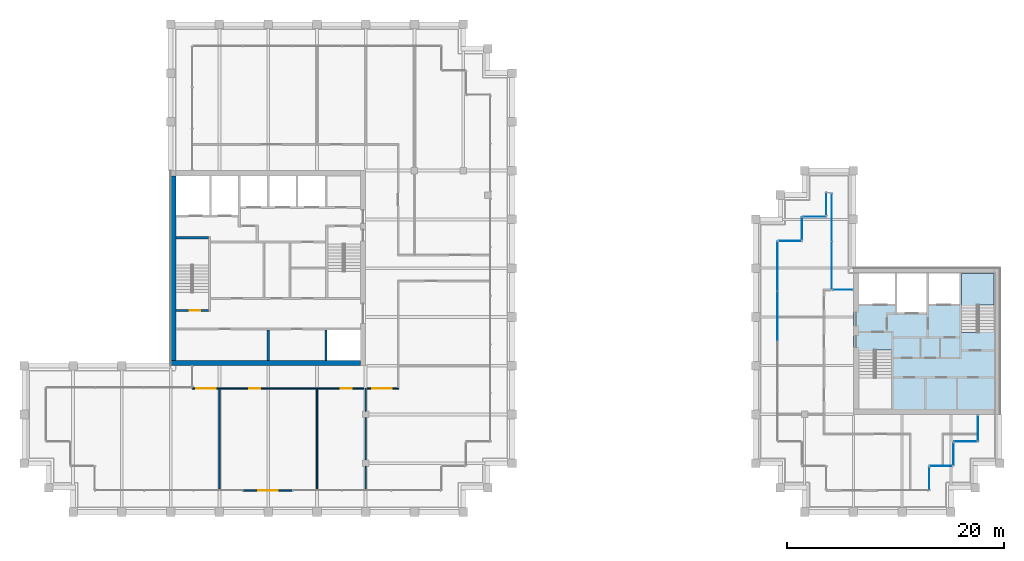
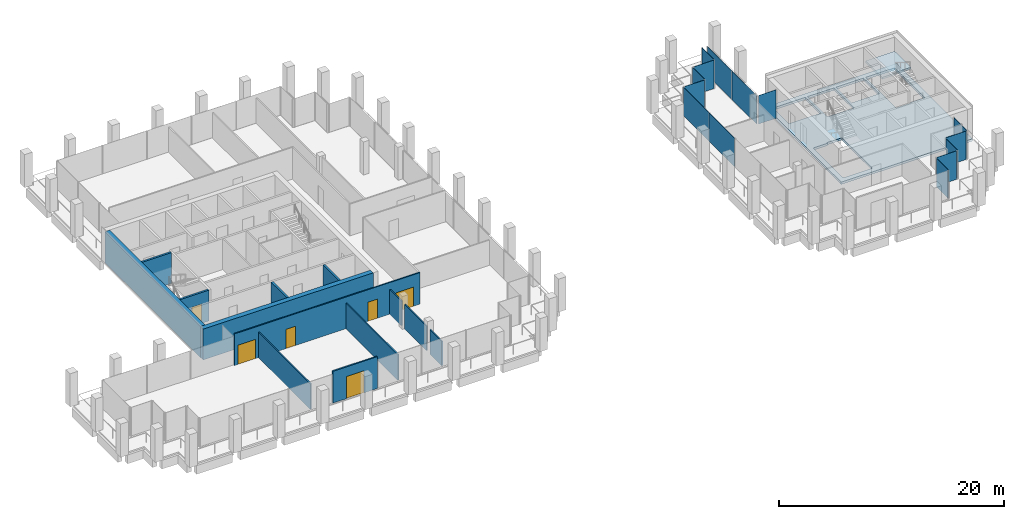
# One storey, part 35 of 40: 14 plates, 13 walls, 6 doors, 2 slabs, 6 openings, 13 elements without a shape of their own.
"""IFC4 building model written with IfcOpenShell, lengths in metres."""

import ifcopenshell
import ifcopenshell.guid

model = None  # the IFC model being written
_history = None  # IfcOwnerHistory: only IFC2X3 demands one
_inside = {}  # id of a spatial element -> (the spatial element, [elements in it])
_under = {}  # id of a project, library or spatial element -> (it, [spatial elements below it])
_declared = {}  # id of a project -> (the project, [libraries it declares])
_typed = {}  # id of a type object -> (the type object, [elements of that type])
_made_of = {}  # id of a material, layer set ... -> (it, [elements and type objects made of it])


def new_model(schema):
    """Start an empty IFC model of exactly this schema.

    Asked for "IFC4X3", IfcOpenShell would pick the latest addendum, in which some entities
    have other attributes; the version numbers below select the first issue.
    IFC2X3 requires an IfcOwnerHistory on every rooted entity: one is made here for all.
    """
    global model, _history
    if schema == "IFC4X3":
        model = ifcopenshell.file(schema_version=(4, 3, 0, 0))
    else:
        model = ifcopenshell.file(schema=schema)
    _inside.clear()
    _under.clear()
    _declared.clear()
    _typed.clear()
    _made_of.clear()
    _history = None
    if model.schema == "IFC2X3":
        org = make("IfcOrganization", Name="unknown")
        user = make(
            "IfcPersonAndOrganization",
            ThePerson=make("IfcPerson", FamilyName="unknown"),
            TheOrganization=org,
        )
        app = make(
            "IfcApplication",
            ApplicationDeveloper=org,
            Version="unknown",
            ApplicationFullName="unknown",
            ApplicationIdentifier="unknown",
        )
        _history = make(
            "IfcOwnerHistory",
            OwningUser=user,
            OwningApplication=app,
            ChangeAction="ADDED",
            CreationDate=0,
        )
    return model


def make(cls, **values):
    """One entity of the class cls with the attributes given. An attribute that is None is left unset."""
    return model.create_entity(
        cls, **{name: value for name, value in values.items() if value is not None}
    )


def rooted(cls, **values):
    """An entity with a GlobalId (a new one), such as an element, a storey or a relation."""
    return make(cls, GlobalId=ifcopenshell.guid.new(), OwnerHistory=_history, **values)


def si_unit(unit_type, name, prefix=None):
    """IfcSIUnit, for example si_unit("LENGTHUNIT", "METRE", prefix="MILLI")."""
    return make("IfcSIUnit", UnitType=unit_type, Prefix=prefix, Name=name)


def assignment(units):
    """IfcUnitAssignment: the units of a project."""
    return None if units is None else make("IfcUnitAssignment", Units=units)


def point(xyz):
    """IfcCartesianPoint."""
    return None if xyz is None else make("IfcCartesianPoint", Coordinates=xyz)


def direction(xyz):
    """IfcDirection."""
    return None if xyz is None else make("IfcDirection", DirectionRatios=xyz)


def frame(location, z_axis=None, x_axis=None):
    """IfcAxis2Placement3D, a coordinate frame: its origin and axes. An axis left out is left unset."""
    return make(
        "IfcAxis2Placement3D",
        Location=point(location),
        Axis=direction(z_axis),
        RefDirection=direction(x_axis),
    )


def frame_2d(location, x_axis=None):
    """IfcAxis2Placement2D, a coordinate frame in the plane: its origin and x axis."""
    return make(
        "IfcAxis2Placement2D", Location=point(location), RefDirection=direction(x_axis)
    )


def origin():
    """The frame at (0, 0, 0) with its axes left unset."""
    return frame((0.0, 0.0, 0.0))


def origin_2d():
    """The frame at (0, 0) in the plane with its x axis left unset."""
    return frame_2d((0.0, 0.0))


def place(relative_to, where):
    """IfcLocalPlacement: puts the frame where relative to a parent placement (None: the world)."""
    return make(
        "IfcLocalPlacement", PlacementRelTo=relative_to, RelativePlacement=where
    )


def context(
    kind, dimensions, precision=None, world=None, true_north=None, identifier=None
):
    """IfcGeometricRepresentationContext, for example the 3D "Model" context."""
    return make(
        "IfcGeometricRepresentationContext",
        ContextIdentifier=identifier,
        ContextType=kind,
        CoordinateSpaceDimension=dimensions,
        Precision=precision,
        WorldCoordinateSystem=world,
        TrueNorth=true_north,
    )


def subcontext(parent, identifier, kind, view, scale=None):
    """IfcGeometricRepresentationSubContext, for example "Body" below "Model"."""
    return make(
        "IfcGeometricRepresentationSubContext",
        ContextIdentifier=identifier,
        ContextType=kind,
        ParentContext=parent,
        TargetScale=scale,
        TargetView=view,
    )


def project(units=None, contexts=None):
    """IfcProject with its units and contexts."""
    return rooted(
        "IfcProject",
        Name="project",
        RepresentationContexts=contexts,
        UnitsInContext=assignment(units),
    )


def spatial(cls, under=None, at=None, **own):
    """A site, building, storey or space (cls), placed at a placement, below another one or the project."""
    s = rooted(cls, ObjectPlacement=at, **own)
    if under is not None:
        _under.setdefault(under.id(), (under, []))[1].append(s)
    return s


def polyline(points):
    """IfcPolyline through the points."""
    return make("IfcPolyline", Points=[point(p) for p in points])


def profile(cls, at=None, kind="AREA", **sizes):
    """A parametric profile (cls). Its sizes go by their IFC names, for example OverallWidth=200.0."""
    return make(cls, ProfileType=kind, Position=at, **sizes)


def rectangle(**sizes):
    """IfcRectangleProfileDef."""
    return profile("IfcRectangleProfileDef", **sizes)


def outline(outer, holes=None, kind="AREA"):
    """IfcArbitraryClosedProfileDef: a profile drawn as a closed curve; with holes, ...WithVoids."""
    if holes is None:
        return make("IfcArbitraryClosedProfileDef", ProfileType=kind, OuterCurve=outer)
    return make(
        "IfcArbitraryProfileDefWithVoids",
        ProfileType=kind,
        OuterCurve=outer,
        InnerCurves=holes,
    )


def extrude(swept, where, along, depth):
    """IfcExtrudedAreaSolid: the profile swept, set in the frame where, extruded along a direction by depth."""
    return make(
        "IfcExtrudedAreaSolid",
        SweptArea=swept,
        Position=where,
        ExtrudedDirection=direction(along),
        Depth=depth,
    )


def shape(context_of_items, identifier, shape_type, items):
    """IfcShapeRepresentation: the items that make up one representation, for example the "Body"."""
    return make(
        "IfcShapeRepresentation",
        ContextOfItems=context_of_items,
        RepresentationIdentifier=identifier,
        RepresentationType=shape_type,
        Items=items,
    )


def material(Name=None, Category=None):
    """IfcMaterial."""
    return make("IfcMaterial", Name=Name, Category=Category)


def layer(
    of_material, thickness, ventilated=None, Name=None, Category=None, Priority=None
):
    """IfcMaterialLayer: one layer of a wall or slab, of a material (None: an air gap)."""
    return make(
        "IfcMaterialLayer",
        Material=of_material,
        LayerThickness=thickness,
        IsVentilated=ventilated,
        Name=Name,
        Category=Category,
        Priority=Priority,
    )


def layer_set(layers, Name=None):
    """IfcMaterialLayerSet."""
    return make("IfcMaterialLayerSet", MaterialLayers=layers, LayerSetName=Name)


def made_of(thing, what):
    """Note that an element or type object is made of a material, layer set ...; save() writes the relation."""
    if what is not None:
        _made_of.setdefault(what.id(), (what, []))[1].append(thing)
    return thing


def type_object(cls, material=None, **own):
    """A type object (cls), such as IfcWallType, which elements share."""
    return made_of(rooted(cls, **own), material)


def element(
    cls,
    number,
    at=None,
    inside=None,
    cuts=None,
    type_object=None,
    material=None,
    context=None,
    identifier="Body",
    shape_type=None,
    held_by="IfcProductDefinitionShape",
    body=None,
    shapes=None,
    **own,
):
    """One element of the class cls, such as IfcWall. Its Tag is "e" and its number.

    at: its placement. inside: the storey or other place that contains it. cuts: it is an
    opening in that element (IfcRelVoidsElement). A single representation is given by context,
    identifier, shape_type and body (its items); several are given by shapes. held_by: the class
    of the entity that holds the representations. save() writes the other relations.
    """
    e = rooted(cls, Tag="e%d" % number, ObjectPlacement=at, **own)
    if body is not None:
        shapes = [shape(context, identifier, shape_type, body)]
    if shapes is not None:
        e.Representation = make(held_by, Representations=shapes)
    if inside is not None:
        _inside.setdefault(inside.id(), (inside, []))[1].append(e)
    if cuts is not None:
        rooted(
            "IfcRelVoidsElement", RelatingBuildingElement=cuts, RelatedOpeningElement=e
        )
    if type_object is not None:
        _typed.setdefault(type_object.id(), (type_object, []))[1].append(e)
    return made_of(e, material)


def fill(opening, filler):
    """IfcRelFillsElement: the door or window that sits in an opening."""
    return rooted(
        "IfcRelFillsElement",
        RelatingOpeningElement=opening,
        RelatedBuildingElement=filler,
    )


def aggregate(whole, parts):
    """IfcRelAggregates: a whole, such as a stair, and the parts it consists of."""
    return rooted("IfcRelAggregates", RelatingObject=whole, RelatedObjects=parts)


def save(model, path):
    """Write the relations noted so far, then the file.

    IfcRelAggregates (storeys below a building ...), IfcRelContainedInSpatialStructure (elements
    in a storey), IfcRelDefinesByType, IfcRelAssociatesMaterial and IfcRelDeclares: one each for
    every whole, place, type object, material and project.
    """
    for whole, parts in _under.values():
        aggregate(whole, parts)
    for where, things in _inside.values():
        rooted(
            "IfcRelContainedInSpatialStructure",
            RelatedElements=things,
            RelatingStructure=where,
        )
    for kind, things in _typed.values():
        rooted("IfcRelDefinesByType", RelatedObjects=things, RelatingType=kind)
    for what, things in _made_of.values():
        rooted("IfcRelAssociatesMaterial", RelatedObjects=things, RelatingMaterial=what)
    for by, libraries in _declared.values():
        rooted("IfcRelDeclares", RelatingContext=by, RelatedDefinitions=libraries)
    model.write(path)


model = new_model("IFC4")

# Units and contexts
model_context = context("Model", 3, precision=1e-05, world=origin(), true_north=direction((0.0, 1.0)))
body_context = subcontext(model_context, "Body", "Model", "MODEL_VIEW")
ifc_project = project(units=[si_unit("LENGTHUNIT", "METRE"), si_unit("AREAUNIT", "SQUARE_METRE"), si_unit("VOLUMEUNIT", "CUBIC_METRE"), si_unit("PLANEANGLEUNIT", "RADIAN"), si_unit("MASSUNIT", "GRAM", prefix="KILO")], contexts=[model_context])

# Site, building, storey
site_placement = place(None, origin())
site = spatial("IfcSite", under=ifc_project, at=site_placement, CompositionType="ELEMENT")
building_placement = place(site_placement, origin())
building = spatial("IfcBuilding", under=site, at=building_placement, Name="Altepetl Exchange Towers", CompositionType="ELEMENT")
storey_placement = place(building_placement, frame((0.0, 0.0, 202.800048828125)))
storey = spatial("IfcBuildingStorey", under=building, at=storey_placement, Name="L51", CompositionType="ELEMENT", Elevation=202.800048828125)

# Slab
ifc_material_1 = material(Name="Concrete C40/50", Category="concrete")
ifc_layer_1 = layer(ifc_material_1, 0.25)
ifc_layer_set_1 = layer_set([ifc_layer_1], Name="Concrete C40/50")
slab_type_1 = type_object("IfcSlabType", Name="Core floor slab 250", PredefinedType="FLOOR", material=ifc_layer_set_1)
slab_1_placement = place(storey_placement, frame((0.0, 0.0, -0.25)))
element("IfcSlab", 1, at=slab_1_placement, inside=storey, type_object=slab_type_1, Name="slab:B:L51:core0", PredefinedType="FLOOR", context=body_context, shape_type="SweptSolid", body=[
    extrude(outline(polyline([(103.5, 36.0), (117.0, 36.0), (117.0, 49.5), (103.5, 49.5), (103.5, 36.0)]), holes=[polyline([(107.0, 36.5), (104.0, 36.5), (104.0, 41.85009765625), (105.449951171875, 41.85009765625), (105.449951171875, 41.948974609375), (107.0, 41.948974609375), (107.0, 36.5)]), polyline([(113.5, 49.0), (116.5, 49.0), (116.5, 43.64990234375), (115.050048828125, 43.64990234375), (115.050048828125, 43.551025390625), (113.5, 43.551025390625), (113.5, 49.0)]), polyline([(107.532958984375, 45.39990234375), (107.532958984375, 49.0), (110.26708984375, 49.0), (110.26708984375, 45.39990234375), (107.532958984375, 45.39990234375)]), polyline([(104.0, 49.0), (107.3330078125, 49.0), (107.3330078125, 46.199951171875), (104.0, 46.199951171875), (104.0, 49.0)]), polyline([(110.467041015625, 49.0), (113.300048828125, 49.0), (113.300048828125, 46.199951171875), (110.467041015625, 46.199951171875), (110.467041015625, 49.0)])]), origin(), (0.0, 0.0, 1.0), 0.25),
])

# Curtain wall, plate
ifc_material_2 = material(Name="Aluminium 6063-T6 glazing", Category="aluminium")
curtain_wall_type = type_object("IfcCurtainWallType", Name="Loggia glazing system", PredefinedType="NOTDEFINED", material=ifc_material_2)
curtain_wall_1_placement = place(storey_placement, origin())
curtain_wall_1 = element("IfcCurtainWall", 2, at=curtain_wall_1_placement, inside=storey, type_object=curtain_wall_type, Name="CW1 run", PredefinedType="NOTDEFINED")
ifc_material_3 = material(Name="Glass 6-16-6 low emissivity", Category="glass")
ifc_layer_2 = layer(ifc_material_3, 0.028076171875)
ifc_layer_set_2 = layer_set([ifc_layer_2], Name="Glass 6-16-6 low emissivity")
plate_type = type_object("IfcPlateType", Name="Glass panel 28 double glazed", PredefinedType="CURTAIN_PANEL", material=ifc_layer_set_2)
plate_1_placement = place(storey_placement, frame((110.5, 30.08740234375, 0.0), z_axis=(0.0, 0.0, 1.0), x_axis=(0.0, 1.0, 0.0)))
plate_1 = element("IfcPlate", 3, at=plate_1_placement, type_object=plate_type, Name="GP1 panel", PredefinedType="CURTAIN_PANEL", context=body_context, shape_type="SweptSolid", body=[
    extrude(rectangle(XDim=2.054931640625, YDim=0.028076171875, at=origin_2d()), origin(), (0.0, 0.0, 1.0), 3.10009765625),
])
aggregate(curtain_wall_1, [plate_1])

curtain_wall_2_placement = place(storey_placement, origin())
curtain_wall_2 = element("IfcCurtainWall", 4, at=curtain_wall_2_placement, inside=storey, type_object=curtain_wall_type, Name="CW1 run", PredefinedType="NOTDEFINED")
plate_2_placement = place(storey_placement, frame((111.58740234375, 31.25, 0.0)))
plate_2 = element("IfcPlate", 5, at=plate_2_placement, type_object=plate_type, Name="GP1 panel", PredefinedType="CURTAIN_PANEL", context=body_context, shape_type="SweptSolid", body=[
    extrude(rectangle(XDim=2.054931640625, YDim=0.028076171875, at=origin_2d()), origin(), (0.0, 0.0, 1.0), 3.10009765625),
])
aggregate(curtain_wall_2, [plate_2])

curtain_wall_3_placement = place(storey_placement, origin())
curtain_wall_3 = element("IfcCurtainWall", 6, at=curtain_wall_3_placement, inside=storey, type_object=curtain_wall_type, Name="CW1 run", PredefinedType="NOTDEFINED")
plate_3_placement = place(storey_placement, frame((112.75, 32.33740234375, 0.0), z_axis=(0.0, 0.0, 1.0), x_axis=(0.0, 1.0, 0.0)))
plate_3 = element("IfcPlate", 7, at=plate_3_placement, type_object=plate_type, Name="GP1 panel", PredefinedType="CURTAIN_PANEL", context=body_context, shape_type="SweptSolid", body=[
    extrude(rectangle(XDim=2.054931640625, YDim=0.028076171875, at=origin_2d()), origin(), (0.0, 0.0, 1.0), 3.10009765625),
])
aggregate(curtain_wall_3, [plate_3])

curtain_wall_4_placement = place(storey_placement, origin())
curtain_wall_4 = element("IfcCurtainWall", 8, at=curtain_wall_4_placement, inside=storey, type_object=curtain_wall_type, Name="CW1 run", PredefinedType="NOTDEFINED")
plate_4_placement = place(storey_placement, frame((113.83740234375, 33.5, 0.0)))
plate_4 = element("IfcPlate", 9, at=plate_4_placement, type_object=plate_type, Name="GP1 panel", PredefinedType="CURTAIN_PANEL", context=body_context, shape_type="SweptSolid", body=[
    extrude(rectangle(XDim=2.054931640625, YDim=0.028076171875, at=origin_2d()), origin(), (0.0, 0.0, 1.0), 3.10009765625),
])
aggregate(curtain_wall_4, [plate_4])

curtain_wall_5_placement = place(storey_placement, origin())
curtain_wall_5 = element("IfcCurtainWall", 10, at=curtain_wall_5_placement, inside=storey, type_object=curtain_wall_type, Name="CW1 run", PredefinedType="NOTDEFINED")
plate_5_placement = place(storey_placement, frame((115.0, 34.71240234375, 0.0), z_axis=(0.0, 0.0, 1.0), x_axis=(0.0, 1.0, 0.0)))
plate_5 = element("IfcPlate", 11, at=plate_5_placement, type_object=plate_type, Name="GP1 panel", PredefinedType="CURTAIN_PANEL", context=body_context, shape_type="SweptSolid", body=[
    extrude(rectangle(XDim=2.304931640625, YDim=0.028076171875, at=origin_2d()), origin(), (0.0, 0.0, 1.0), 3.10009765625),
])
aggregate(curtain_wall_5, [plate_5])

curtain_wall_6_placement = place(storey_placement, origin())
curtain_wall_6 = element("IfcCurtainWall", 12, at=curtain_wall_6_placement, inside=storey, type_object=curtain_wall_type, Name="CW1 run", PredefinedType="NOTDEFINED")
plate_6_placement = place(storey_placement, frame((102.53759765625, 47.5, 0.0), z_axis=(0.0, 0.0, 1.0), x_axis=(-1.0, 0.0, 0.0)))
plate_6 = element("IfcPlate", 13, at=plate_6_placement, type_object=plate_type, Name="GP1 panel", PredefinedType="CURTAIN_PANEL", context=body_context, shape_type="SweptSolid", body=[
    extrude(rectangle(XDim=1.804931640625, YDim=0.028076171875, at=origin_2d()), origin(), (0.0, 0.0, 1.0), 3.10009765625),
])
aggregate(curtain_wall_6, [plate_6])

# Curtain wall, plates
curtain_wall_7_placement = place(storey_placement, origin())
curtain_wall_7 = element("IfcCurtainWall", 14, at=curtain_wall_7_placement, inside=storey, type_object=curtain_wall_type, Name="CW1 run", PredefinedType="NOTDEFINED")
plate_7_placement = place(storey_placement, frame((101.5, 49.746337890625, 0.0), z_axis=(0.0, 0.0, 1.0), x_axis=(0.0, 1.0, 0.0)))
plate_7 = element("IfcPlate", 15, at=plate_7_placement, type_object=plate_type, Name="GP1 panel", PredefinedType="CURTAIN_PANEL", context=body_context, shape_type="SweptSolid", body=[
    extrude(rectangle(XDim=4.37255859375, YDim=0.028076171875, at=origin_2d()), origin(), (0.0, 0.0, 1.0), 3.10009765625),
])
plate_8_placement = place(storey_placement, frame((101.5, 54.1787109375, 0.0), z_axis=(0.0, 0.0, 1.0), x_axis=(0.0, 1.0, 0.0)))
plate_8 = element("IfcPlate", 16, at=plate_8_placement, type_object=plate_type, Name="GP1 panel", PredefinedType="CURTAIN_PANEL", context=body_context, shape_type="SweptSolid", body=[
    extrude(rectangle(XDim=4.37255859375, YDim=0.028076171875, at=origin_2d()), origin(), (0.0, 0.0, 1.0), 3.10009765625),
])
aggregate(curtain_wall_7, [plate_7, plate_8])

# Curtain wall, plate
curtain_wall_8_placement = place(storey_placement, origin())
curtain_wall_8 = element("IfcCurtainWall", 17, at=curtain_wall_8_placement, inside=storey, type_object=curtain_wall_type, Name="CW1 run", PredefinedType="NOTDEFINED")
plate_9_placement = place(storey_placement, frame((101.0, 55.41259765625, 0.0), z_axis=(0.0, 0.0, 1.0), x_axis=(0.0, -1.0, 0.0)))
plate_9 = element("IfcPlate", 18, at=plate_9_placement, type_object=plate_type, Name="GP1 panel", PredefinedType="CURTAIN_PANEL", context=body_context, shape_type="SweptSolid", body=[
    extrude(rectangle(XDim=2.054931640625, YDim=0.028076171875, at=origin_2d()), origin(), (0.0, 0.0, 1.0), 3.10009765625),
])
aggregate(curtain_wall_8, [plate_9])

curtain_wall_9_placement = place(storey_placement, origin())
curtain_wall_9 = element("IfcCurtainWall", 19, at=curtain_wall_9_placement, inside=storey, type_object=curtain_wall_type, Name="CW1 run", PredefinedType="NOTDEFINED")
plate_10_placement = place(storey_placement, frame((99.91259765625, 54.25, 0.0), z_axis=(0.0, 0.0, 1.0), x_axis=(-1.0, 0.0, 0.0)))
plate_10 = element("IfcPlate", 20, at=plate_10_placement, type_object=plate_type, Name="GP1 panel", PredefinedType="CURTAIN_PANEL", context=body_context, shape_type="SweptSolid", body=[
    extrude(rectangle(XDim=2.054931640625, YDim=0.028076171875, at=origin_2d()), origin(), (0.0, 0.0, 1.0), 3.10009765625),
])
aggregate(curtain_wall_9, [plate_10])

curtain_wall_10_placement = place(storey_placement, origin())
curtain_wall_10 = element("IfcCurtainWall", 21, at=curtain_wall_10_placement, inside=storey, type_object=curtain_wall_type, Name="CW1 run", PredefinedType="NOTDEFINED")
plate_11_placement = place(storey_placement, frame((98.75, 53.16259765625, 0.0), z_axis=(0.0, 0.0, 1.0), x_axis=(0.0, -1.0, 0.0)))
plate_11 = element("IfcPlate", 22, at=plate_11_placement, type_object=plate_type, Name="GP1 panel", PredefinedType="CURTAIN_PANEL", context=body_context, shape_type="SweptSolid", body=[
    extrude(rectangle(XDim=2.054931640625, YDim=0.028076171875, at=origin_2d()), origin(), (0.0, 0.0, 1.0), 3.10009765625),
])
aggregate(curtain_wall_10, [plate_11])

curtain_wall_11_placement = place(storey_placement, origin())
curtain_wall_11 = element("IfcCurtainWall", 23, at=curtain_wall_11_placement, inside=storey, type_object=curtain_wall_type, Name="CW1 run", PredefinedType="NOTDEFINED")
plate_12_placement = place(storey_placement, frame((97.66259765625, 52.0, 0.0), z_axis=(0.0, 0.0, 1.0), x_axis=(-1.0, 0.0, 0.0)))
plate_12 = element("IfcPlate", 24, at=plate_12_placement, type_object=plate_type, Name="GP1 panel", PredefinedType="CURTAIN_PANEL", context=body_context, shape_type="SweptSolid", body=[
    extrude(rectangle(XDim=2.054931640625, YDim=0.028076171875, at=origin_2d()), origin(), (0.0, 0.0, 1.0), 3.10009765625),
])
aggregate(curtain_wall_11, [plate_12])

# Curtain wall, plates
curtain_wall_12_placement = place(storey_placement, origin())
curtain_wall_12 = element("IfcCurtainWall", 25, at=curtain_wall_12_placement, inside=storey, type_object=curtain_wall_type, Name="CW1 run", PredefinedType="NOTDEFINED")
plate_13_placement = place(storey_placement, frame((96.5, 49.681884765625, 0.0), z_axis=(0.0, 0.0, 1.0), x_axis=(0.0, -1.0, 0.0)))
plate_13 = element("IfcPlate", 26, at=plate_13_placement, type_object=plate_type, Name="GP1 panel", PredefinedType="CURTAIN_PANEL", context=body_context, shape_type="SweptSolid", body=[
    extrude(rectangle(XDim=4.516357421875, YDim=0.028076171875, at=origin_2d()), origin(), (0.0, 0.0, 1.0), 3.10009765625),
])
plate_14_placement = place(storey_placement, frame((96.5, 45.090576171875, 0.0), z_axis=(0.0, 0.0, 1.0), x_axis=(0.0, -1.0, 0.0)))
plate_14 = element("IfcPlate", 27, at=plate_14_placement, type_object=plate_type, Name="GP1 panel", PredefinedType="CURTAIN_PANEL", context=body_context, shape_type="SweptSolid", body=[
    extrude(rectangle(XDim=4.546142578125, YDim=0.028076171875, at=origin_2d()), origin(), (0.0, 0.0, 1.0), 3.10009765625),
])
aggregate(curtain_wall_12, [plate_13, plate_14])

# Stair, slab
stair_type = type_object("IfcStairType", Name="Exit stair 1450 flights dogleg", PredefinedType="HALF_TURN_STAIR", material=ifc_material_1)
stair_placement = place(storey_placement, origin())
stair = element("IfcStair", 28, at=stair_placement, inside=storey, type_object=stair_type, Name="Exit stair 2", PredefinedType="HALF_TURN_STAIR")
ifc_layer_3 = layer(ifc_material_1, 0.199951171875)
ifc_layer_set_3 = layer_set([ifc_layer_3], Name="Concrete C40/50")
slab_type_2 = type_object("IfcSlabType", Name="Stair landing 200 reinforced concrete", PredefinedType="LANDING", material=ifc_layer_set_3)
slab_2_placement = place(storey_placement, frame((0.0, 0.0, 1.599853515625)))
slab_2 = element("IfcSlab", 29, at=slab_2_placement, type_object=slab_type_2, Name="ST-B2f landing 1", PredefinedType="LANDING", context=body_context, shape_type="SweptSolid", body=[
    extrude(outline(polyline([(114.949951171875, 46.014892578125), (113.5, 46.014892578125), (113.5, 46.114990234375), (113.5, 49.0), (116.5, 49.0), (116.5, 46.114990234375), (116.5, 46.1142578125), (115.050048828125, 46.1142578125), (115.050048828125, 46.114990234375), (114.949951171875, 46.114990234375), (114.949951171875, 46.014892578125)])), origin(), (0.0, 0.0, 1.0), 0.2001953125),
])
aggregate(stair, [slab_2])

# Walls
ifc_material_4 = material(Name="Concrete C70/85", Category="concrete")
ifc_layer_4 = layer(ifc_material_4, 0.5)
ifc_layer_set_4 = layer_set([ifc_layer_4], Name="Concrete C70/85")
wall_type_1 = type_object("IfcWallType", Name="Core wall 500 reinforced concrete", PredefinedType="SHEAR", material=ifc_layer_set_4)
wall_1_placement = place(storey_placement, frame((40.5, 40.75, 0.0)))
element("IfcWall", 30, at=wall_1_placement, inside=storey, type_object=wall_type_1, Name="wall:A:L51:K-coreS", PredefinedType="SHEAR", context=body_context, shape_type="SweptSolid", body=[
    extrude(rectangle(XDim=17.5, YDim=0.5, at=frame_2d((8.75, 0.0))), origin(), (0.0, 0.0, 1.0), 3.349853515625),
])
ifc_layer_5 = layer(ifc_material_4, 0.5)
ifc_layer_set_5 = layer_set([ifc_layer_5], Name="Concrete C70/85")
wall_type_2 = type_object("IfcWallType", Name="Core wall 500 reinforced concrete external", PredefinedType="SHEAR", material=ifc_layer_set_5)
wall_2_placement = place(storey_placement, frame((40.75, 41.0, 0.0), z_axis=(0.0, 0.0, 1.0), x_axis=(0.0, 1.0, 0.0)))
element("IfcWall", 31, at=wall_2_placement, inside=storey, type_object=wall_type_2, Name="wall:A:L51:K-coreW", PredefinedType="SHEAR", context=body_context, shape_type="SweptSolid", body=[
    extrude(rectangle(XDim=17.0, YDim=0.5, at=frame_2d((8.5, 0.0))), origin(), (0.0, 0.0, 1.0), 3.349853515625),
])

# Wall, opening, door
ifc_material_5 = material(Name="Aluminium composite cladding", Category="aluminium")
ifc_layer_6 = layer(ifc_material_5, 0.14990234375)
ifc_layer_set_6 = layer_set([ifc_layer_6], Name="Aluminium composite cladding")
wall_type_3 = type_object("IfcWallType", Name="Infill wall 150 aluminium panel", PredefinedType="SOLIDWALL", material=ifc_layer_set_6)
wall_3_placement = place(storey_placement, frame((47.18212890625, 29.0, 0.0)))
wall_3 = element("IfcWall", 32, at=wall_3_placement, inside=storey, type_object=wall_type_3, Name="Loggia door bay wall", PredefinedType="SOLIDWALL", context=body_context, shape_type="SweptSolid", body=[
    extrude(rectangle(XDim=4.560791015625, YDim=0.14990234375, at=frame_2d((2.2802734375, 0.0))), origin(), (0.0, 0.0, 1.0), 3.449951171875),
])
opening_1_placement = place(wall_3_placement, frame((1.38037109375, 0.0, 0.0)))
opening_1 = element("IfcOpeningElement", 33, at=opening_1_placement, cuts=wall_3, Name="Opening L51.A90", PredefinedType="OPENING", context=body_context, shape_type="SweptSolid", body=[
    extrude(rectangle(XDim=1.800048828125, YDim=2.39990234375, at=frame_2d((0.89990234375, 1.199951171875))), frame((0.0, 0.0849609375, 0.0), z_axis=(0.0, -1.0, 0.0), x_axis=(1.0, 0.0, 0.0)), (0.0, 0.0, 1.0), 0.169921875),
])
ifc_material_6 = material(Name="Aluminium 6063-T6 and glass", Category="aluminium")
door_type_1 = type_object("IfcDoorType", Name="Glazed door pair 1800x2400", OperationType="DOUBLE_DOOR_DOUBLE_SWING", PredefinedType="NOTDEFINED", material=ifc_material_6)
door_1_placement = place(opening_1_placement, frame((1.800048828125, 0.0, 0.0), x_axis=(-1.0, 0.0, 0.0)))
door_1 = element("IfcDoor", 34, at=door_1_placement, inside=storey, type_object=door_type_1, Name="Loggia door", OperationType="DOUBLE_DOOR_DOUBLE_SWING", OverallHeight=2.39990234375, OverallWidth=1.800048828125, PredefinedType="NOTDEFINED", context=body_context, shape_type="SweptSolid", body=[
    extrude(rectangle(XDim=1.800048828125, YDim=2.39990234375, at=frame_2d((0.89990234375, 1.199951171875))), frame((0.0, 0.02490234375, 0.0), z_axis=(0.0, -1.0, 0.0), x_axis=(1.0, 0.0, 0.0)), (0.0, 0.0, 1.0), 0.050048828125),
])
fill(opening_1, door_1)

# Wall, openings, doors
ifc_material_7 = material(Name="Gypsum board on steel studs", Category="steel")
ifc_layer_7 = layer(ifc_material_7, 0.125)
ifc_layer_set_7 = layer_set([ifc_layer_7], Name="Gypsum board on steel studs")
wall_type_4 = type_object("IfcWallType", Name="Partition 125 gypsum board on steel studs", PredefinedType="PARTITIONING", material=ifc_layer_set_7)
wall_4_placement = place(storey_placement, frame((42.5, 38.39990234375, 0.0)))
wall_4 = element("IfcWall", 35, at=wall_4_placement, inside=storey, type_object=wall_type_4, Name="wall:A:L51:P01", PredefinedType="PARTITIONING", context=body_context, shape_type="SweptSolid", body=[
    extrude(rectangle(XDim=19.0625, YDim=0.125, at=frame_2d((9.53125, 0.0))), origin(), (0.0, 0.0, 1.0), 3.449951171875),
])
opening_2_placement = place(wall_4_placement, frame((0.35009765625, 0.0, 0.0)))
opening_2 = element("IfcOpeningElement", 36, at=opening_2_placement, cuts=wall_4, Name="Opening L51.A01", PredefinedType="OPENING", context=body_context, shape_type="SweptSolid", body=[
    extrude(rectangle(XDim=1.800048828125, YDim=2.10009765625, at=frame_2d((0.89990234375, 1.050048828125))), frame((0.0, 0.072509765625, 0.0), z_axis=(0.0, -1.0, 0.0), x_axis=(1.0, 0.0, 0.0)), (0.0, 0.0, 1.0), 0.14501953125),
])
opening_3_placement = place(wall_4_placement, frame((5.258056640625, 0.0, 0.0)))
opening_3 = element("IfcOpeningElement", 37, at=opening_3_placement, cuts=wall_4, Name="Opening L51.A02", PredefinedType="OPENING", context=body_context, shape_type="SweptSolid", body=[
    extrude(rectangle(XDim=1.0, YDim=2.10009765625, at=frame_2d((0.5, 1.050048828125))), frame((0.0, 0.072509765625, 0.0), z_axis=(0.0, -1.0, 0.0), x_axis=(1.0, 0.0, 0.0)), (0.0, 0.0, 1.0), 0.14501953125),
])
opening_4_placement = place(wall_4_placement, frame((13.705078125, 0.0, 0.0)))
opening_4 = element("IfcOpeningElement", 38, at=opening_4_placement, cuts=wall_4, Name="Opening L51.A03", PredefinedType="OPENING", context=body_context, shape_type="SweptSolid", body=[
    extrude(rectangle(XDim=1.0, YDim=2.10009765625, at=frame_2d((0.5, 1.050048828125))), frame((0.0, 0.072509765625, 0.0), z_axis=(0.0, -1.0, 0.0), x_axis=(1.0, 0.0, 0.0)), (0.0, 0.0, 1.0), 0.14501953125),
])
opening_5_placement = place(wall_4_placement, frame((16.60009765625, 0.0, 0.0)))
opening_5 = element("IfcOpeningElement", 39, at=opening_5_placement, cuts=wall_4, Name="Opening L51.A04", PredefinedType="OPENING", context=body_context, shape_type="SweptSolid", body=[
    extrude(rectangle(XDim=1.800048828125, YDim=2.10009765625, at=frame_2d((0.89990234375, 1.050048828125))), frame((0.0, 0.072509765625, 0.0), z_axis=(0.0, -1.0, 0.0), x_axis=(1.0, 0.0, 0.0)), (0.0, 0.0, 1.0), 0.14501953125),
])
ifc_material_8 = material(Name="Steel and timber fire door", Category="steel")
door_type_2 = type_object("IfcDoorType", Name="Fire door 1000 x 2100 single leaf", OperationType="SINGLE_SWING_LEFT", PredefinedType="DOOR", material=ifc_material_8)
door_2_placement = place(opening_3_placement, frame((1.0, 0.0, 0.0), x_axis=(-1.0, 0.0, 0.0)))
door_2 = element("IfcDoor", 40, at=door_2_placement, inside=storey, type_object=door_type_2, Name="door:A:L51:02", OperationType="SINGLE_SWING_RIGHT", OverallHeight=2.10009765625, OverallWidth=1.0, PredefinedType="DOOR", context=body_context, shape_type="SweptSolid", body=[
    extrude(rectangle(XDim=1.0, YDim=2.10009765625, at=frame_2d((0.5, 1.050048828125))), frame((0.0, 0.02490234375, 0.0), z_axis=(0.0, -1.0, 0.0), x_axis=(1.0, 0.0, 0.0)), (0.0, 0.0, 1.0), 0.050048828125),
])
fill(opening_3, door_2)
door_3_placement = place(opening_4_placement, frame((1.0, 0.0, 0.0), x_axis=(-1.0, 0.0, 0.0)))
door_3 = element("IfcDoor", 41, at=door_3_placement, inside=storey, type_object=door_type_2, Name="door:A:L51:03", OperationType="SINGLE_SWING_LEFT", OverallHeight=2.10009765625, OverallWidth=1.0, PredefinedType="DOOR", context=body_context, shape_type="SweptSolid", body=[
    extrude(rectangle(XDim=1.0, YDim=2.10009765625, at=frame_2d((0.5, 1.050048828125))), frame((0.0, 0.02490234375, 0.0), z_axis=(0.0, -1.0, 0.0), x_axis=(1.0, 0.0, 0.0)), (0.0, 0.0, 1.0), 0.050048828125),
])
fill(opening_4, door_3)
door_type_3 = type_object("IfcDoorType", Name="Fire door 1800 x 2100 double leaf", OperationType="DOUBLE_DOOR_SINGLE_SWING", PredefinedType="DOOR", material=ifc_material_8)
door_4_placement = place(opening_2_placement, frame((1.800048828125, 0.0, 0.0), x_axis=(-1.0, 0.0, 0.0)))
door_4 = element("IfcDoor", 42, at=door_4_placement, inside=storey, type_object=door_type_3, Name="door:A:L51:01", OperationType="DOUBLE_DOOR_SINGLE_SWING", OverallHeight=2.10009765625, OverallWidth=1.800048828125, PredefinedType="DOOR", context=body_context, shape_type="SweptSolid", body=[
    extrude(rectangle(XDim=1.800048828125, YDim=2.10009765625, at=frame_2d((0.89990234375, 1.050048828125))), frame((0.0, 0.02490234375, 0.0), z_axis=(0.0, -1.0, 0.0), x_axis=(1.0, 0.0, 0.0)), (0.0, 0.0, 1.0), 0.050048828125),
])
fill(opening_2, door_4)
door_5_placement = place(opening_5_placement, frame((1.800048828125, 0.0, 0.0), x_axis=(-1.0, 0.0, 0.0)))
door_5 = element("IfcDoor", 43, at=door_5_placement, inside=storey, type_object=door_type_3, Name="door:A:L51:04", OperationType="DOUBLE_DOOR_SINGLE_SWING", OverallHeight=2.10009765625, OverallWidth=1.800048828125, PredefinedType="DOOR", context=body_context, shape_type="SweptSolid", body=[
    extrude(rectangle(XDim=1.800048828125, YDim=2.10009765625, at=frame_2d((0.89990234375, 1.050048828125))), frame((0.0, 0.02490234375, 0.0), z_axis=(0.0, -1.0, 0.0), x_axis=(1.0, 0.0, 0.0)), (0.0, 0.0, 1.0), 0.050048828125),
])
fill(opening_5, door_5)

# Walls
for number, where, z_axis, x_axis, name in (
    (44, (45.0, 29.10009765625, 0.0), (0.0, 0.0, 1.0), (0.0, 1.0, 0.0), "wall:A:L51:P06"),
    (45, (54.0, 29.10009765625, 0.0), (0.0, 0.0, 1.0), (0.0, 1.0, 0.0), "wall:A:L51:P07"),
):
    element("IfcWall", number, at=place(storey_placement, frame(where, z_axis=z_axis, x_axis=x_axis)), inside=storey, type_object=wall_type_4, Name=name, PredefinedType="PARTITIONING", context=body_context, shape_type="SweptSolid", body=[
        extrude(rectangle(XDim=9.2998046875, YDim=0.125, at=frame_2d((4.64990234375, 0.0))), origin(), (0.0, 0.0, 1.0), 2.77197265625),
    ])
wall_5_placement = place(storey_placement, frame((58.5, 29.10009765625, 0.0), z_axis=(0.0, 0.0, 1.0), x_axis=(0.0, 1.0, 0.0)))
element("IfcWall", 46, at=wall_5_placement, inside=storey, type_object=wall_type_4, Name="wall:A:L51:P09", PredefinedType="PARTITIONING", context=body_context, shape_type="SweptSolid", body=[
    extrude(rectangle(XDim=2.099853515625, YDim=0.125, at=frame_2d((1.0498046875, 0.0))), origin(), (0.0, 0.0, 1.0), 2.676025390625),
])
wall_6_placement = place(storey_placement, frame((58.5, 31.800048828125, 0.0), z_axis=(0.0, 0.0, 1.0), x_axis=(0.0, 1.0, 0.0)))
element("IfcWall", 47, at=wall_6_placement, inside=storey, type_object=wall_type_4, Name="wall:A:L51:P10", PredefinedType="PARTITIONING", context=body_context, shape_type="SweptSolid", body=[
    extrude(rectangle(XDim=3.89990234375, YDim=0.125, at=frame_2d((1.949951171875, 0.0))), origin(), (0.0, 0.0, 1.0), 2.676025390625),
])
wall_7_placement = place(storey_placement, frame((58.5, 36.300048828125, 0.0), z_axis=(0.0, 0.0, 1.0), x_axis=(0.0, 1.0, 0.0)))
element("IfcWall", 48, at=wall_7_placement, inside=storey, type_object=wall_type_4, Name="wall:A:L51:P11", PredefinedType="PARTITIONING", context=body_context, shape_type="SweptSolid", body=[
    extrude(rectangle(XDim=2.099853515625, YDim=0.125, at=frame_2d((1.0498046875, 0.0))), origin(), (0.0, 0.0, 1.0), 2.676025390625),
])
ifc_layer_8 = layer(ifc_material_1, 0.199951171875)
ifc_layer_set_8 = layer_set([ifc_layer_8], Name="Concrete C40/50")
wall_type_5 = type_object("IfcWallType", Name="Shaft wall 200 reinforced concrete", PredefinedType="SHEAR", material=ifc_layer_set_8)
wall_8_placement = place(storey_placement, frame((54.833251953125, 41.0, 0.0), z_axis=(0.0, 0.0, 1.0), x_axis=(0.0, 1.0, 0.0)))
element("IfcWall", 49, at=wall_8_placement, inside=storey, type_object=wall_type_5, Name="wall:A:L51:K-divS5", PredefinedType="SHEAR", context=body_context, shape_type="SweptSolid", body=[
    extrude(rectangle(XDim=2.800048828125, YDim=0.199951171875, at=frame_2d((1.39990234375, 0.0))), origin(), (0.0, 0.0, 1.0), 3.349853515625),
])
ifc_layer_9 = layer(ifc_material_4, 0.199951171875)
ifc_layer_set_9 = layer_set([ifc_layer_9], Name="Concrete C70/85")
wall_type_6 = type_object("IfcWallType", Name="Shear wall 200 reinforced concrete", PredefinedType="SHEAR", material=ifc_layer_set_9)
wall_9_placement = place(storey_placement, frame((49.5, 41.0, 0.0), z_axis=(0.0, 0.0, 1.0), x_axis=(0.0, 1.0, 0.0)))
element("IfcWall", 50, at=wall_9_placement, inside=storey, type_object=wall_type_6, Name="wall:A:L51:K-divS3", PredefinedType="SHEAR", context=body_context, shape_type="SweptSolid", body=[
    extrude(rectangle(XDim=2.800048828125, YDim=0.199951171875, at=frame_2d((1.39990234375, 0.0))), origin(), (0.0, 0.0, 1.0), 3.349853515625),
])
ifc_layer_10 = layer(ifc_material_1, 0.199951171875)
ifc_layer_set_10 = layer_set([ifc_layer_10], Name="Concrete C40/50")
wall_type_7 = type_object("IfcWallType", Name="Stair wall 200 reinforced concrete", PredefinedType="SHEAR", material=ifc_layer_set_10)
wall_10_placement = place(storey_placement, frame((41.0, 52.300048828125, 0.0)))
element("IfcWall", 51, at=wall_10_placement, inside=storey, type_object=wall_type_7, Name="wall:A:L51:K-stS1N", PredefinedType="SHEAR", context=body_context, shape_type="SweptSolid", body=[
    extrude(rectangle(XDim=3.0, YDim=0.199951171875, at=frame_2d((1.5, 0.0))), origin(), (0.0, 0.0, 1.0), 3.349853515625),
])

# Wall, opening, door
wall_11_placement = place(storey_placement, frame((41.0, 45.60009765625, 0.0)))
wall_11 = element("IfcWall", 52, at=wall_11_placement, inside=storey, type_object=wall_type_7, Name="wall:A:L51:K-stS1S", PredefinedType="SHEAR", context=body_context, shape_type="SweptSolid", body=[
    extrude(rectangle(XDim=3.0, YDim=0.199951171875, at=frame_2d((1.5, 0.0))), origin(), (0.0, 0.0, 1.0), 3.349853515625),
])
opening_6_placement = place(wall_11_placement, frame((1.25, 0.0, 0.0)))
opening_6 = element("IfcOpeningElement", 53, at=opening_6_placement, cuts=wall_11, Name="Opening L51.A62", PredefinedType="OPENING", context=body_context, shape_type="SweptSolid", body=[
    extrude(rectangle(XDim=1.0, YDim=2.10009765625, at=frame_2d((0.5, 1.050048828125))), frame((0.0, 0.10986328125, 0.0), z_axis=(0.0, -1.0, 0.0), x_axis=(1.0, 0.0, 0.0)), (0.0, 0.0, 1.0), 0.219970703125),
])
door_type_4 = type_object("IfcDoorType", Name="Fire door 1000 x 2100 stair and lobby", OperationType="SINGLE_SWING_LEFT", PredefinedType="DOOR", material=ifc_material_8)
door_6_placement = place(opening_6_placement, origin())
door_6 = element("IfcDoor", 54, at=door_6_placement, inside=storey, type_object=door_type_4, Name="door:A:L51:K-dS1in", OperationType="SINGLE_SWING_RIGHT", OverallHeight=2.10009765625, OverallWidth=1.0, PredefinedType="DOOR", context=body_context, shape_type="SweptSolid", body=[
    extrude(rectangle(XDim=1.0, YDim=2.10009765625, at=frame_2d((0.5, 1.050048828125))), frame((0.0, 0.02490234375, 0.0), z_axis=(0.0, -1.0, 0.0), x_axis=(1.0, 0.0, 0.0)), (0.0, 0.0, 1.0), 0.050048828125),
])
fill(opening_6, door_6)

save(model, "model.ifc")
